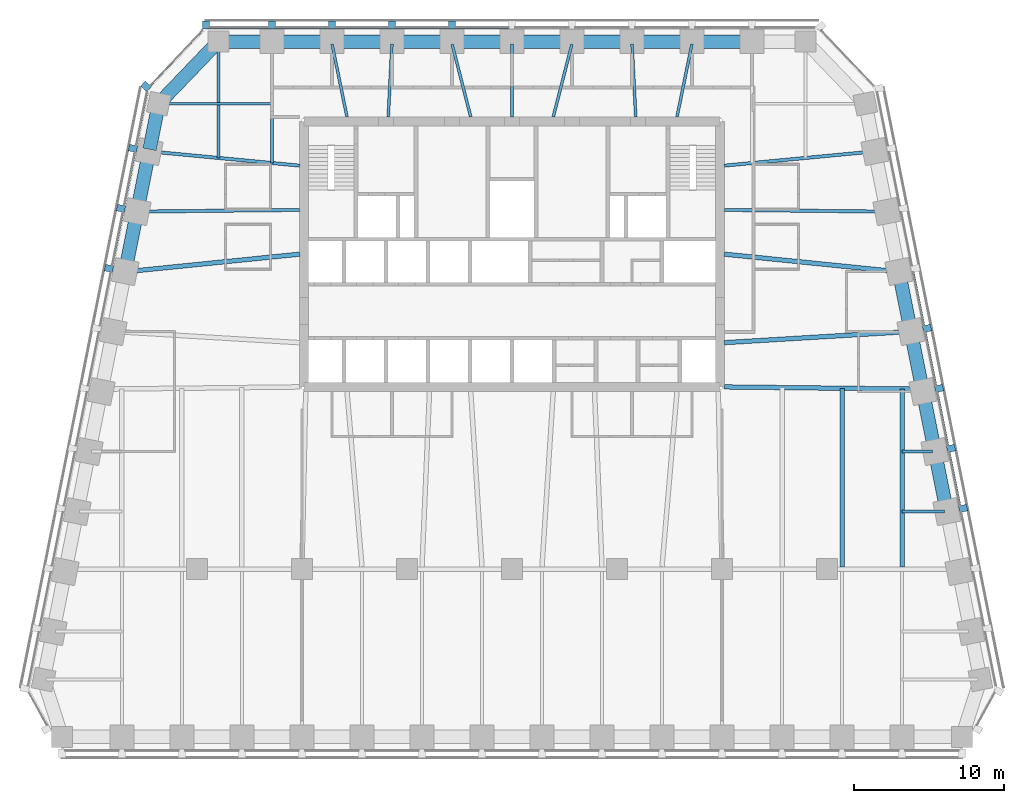
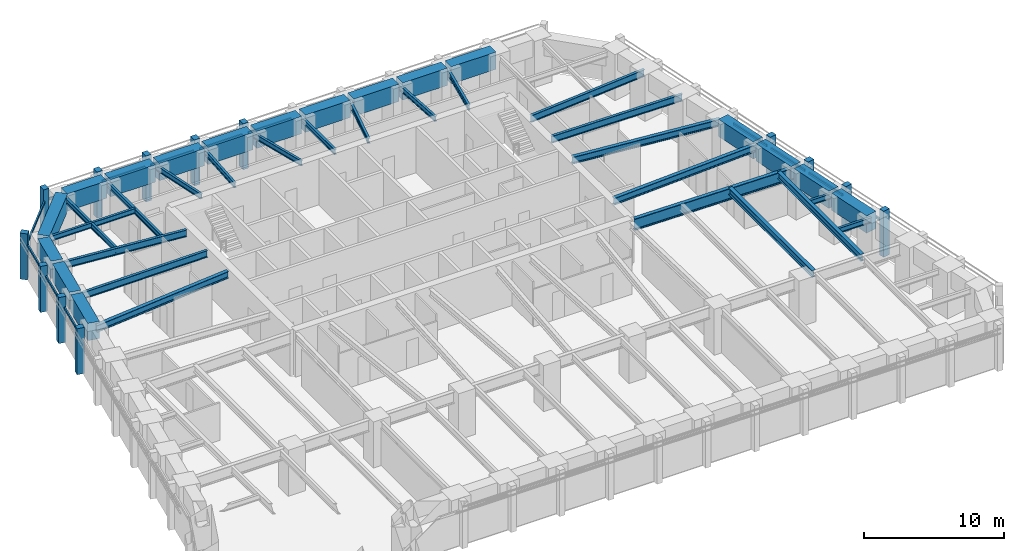
# One storey, part 3 of 10: 39 beams, 26 members, 4 elements without a shape of their own.
"""IFC4 building model written with IfcOpenShell, lengths in metres."""

from ifc_helpers import new_model, si_unit, direction, frame, origin, origin_2d, place, context, subcontext, project, spatial, rectangle, i_section, extrude, material, material_profile, profile_set, type_object, element, aggregate, save


model = new_model("IFC4")

# Units and contexts
model_context = context("Model", 3, precision=1e-05, world=origin(), true_north=direction((0.0, 1.0)))
body_context = subcontext(model_context, "Body", "Model", "MODEL_VIEW")
ifc_project = project(units=[si_unit("LENGTHUNIT", "METRE"), si_unit("AREAUNIT", "SQUARE_METRE"), si_unit("VOLUMEUNIT", "CUBIC_METRE"), si_unit("PLANEANGLEUNIT", "RADIAN"), si_unit("MASSUNIT", "GRAM", prefix="KILO")], contexts=[model_context])

# Site, building, storey
site_placement = place(None, origin())
site = spatial("IfcSite", under=ifc_project, at=site_placement, CompositionType="ELEMENT")
building_placement = place(site_placement, origin())
building = spatial("IfcBuilding", under=site, at=building_placement, Name="Isbrekke Arena Tower", CompositionType="ELEMENT")
storey_placement = place(building_placement, frame((0.0, 0.0, 218.0)))
storey = spatial("IfcBuildingStorey", under=building, at=storey_placement, Name="L50", CompositionType="ELEMENT", Elevation=218.0)

# Beams
ifc_material_1 = material(Name="Steel S355", Category="steel")
ifc_material_profile_1 = material_profile(ifc_material_1, i_section(OverallWidth=0.219970703125, OverallDepth=0.60009765625, WebThickness=0.011962890625, FlangeThickness=0.01904296875, FilletRadius=0.02392578125, at=origin_2d()), Name="IPE 600")
ifc_profile_set_1 = profile_set([ifc_material_profile_1], Name="Steel S355")
beam_type_1 = type_object("IfcBeamType", Name="B1 IPE 600", PredefinedType="BEAM", material=ifc_profile_set_1)
beam_1_placement = place(storey_placement, frame((24.83984375, 17.838134765625, 3.550048828125), z_axis=(-0.999945299061, 0.010459392202, 0.0), x_axis=(-0.010459392202, -0.999945299061, 0.0)))
element("IfcBeam", 1, at=beam_1_placement, inside=storey, type_object=beam_type_1, Name="B1 beam E-E09 L50", PredefinedType="BEAM", context=body_context, shape_type="SweptSolid", body=[
    extrude(i_section(OverallWidth=0.219970703125, OverallDepth=0.60009765625, WebThickness=0.011962890625, FlangeThickness=0.01904296875, FilletRadius=0.02392578125, at=origin_2d()), origin(), (0.0, 0.0, 1.0), 10.6904296875),
])
for number, where, z_axis, x_axis, name in (
    (2, (24.03076171875, 21.837158203125, 3.550048828125), (-0.99553133081, -0.094431823952, 0.0), (0.094431823952, -0.99553133081, 0.0), "B1 beam E-E10 L50"),
    (3, (-24.03076171875, 21.837158203125, 3.550048828125), (0.99553133081, -0.094431823952, 0.0), (0.094431823952, 0.99553133081, 0.0), "B1 beam E-W02 L50"),
):
    element("IfcBeam", number, at=place(storey_placement, frame(where, z_axis=z_axis, x_axis=x_axis)), inside=storey, type_object=beam_type_1, Name=name, PredefinedType="BEAM", context=body_context, shape_type="SweptSolid", body=[
        extrude(i_section(OverallWidth=0.219970703125, OverallDepth=0.60009765625, WebThickness=0.011962890625, FlangeThickness=0.01904296875, FilletRadius=0.02392578125, at=origin_2d()), origin(), (0.0, 0.0, 1.0), 9.92529296875),
    ])
beam_2_placement = place(storey_placement, frame((-24.83984375, 17.838134765625, 3.550048828125), z_axis=(0.999945299061, 0.010459392202, 0.0), x_axis=(-0.010459392202, 0.999945299061, 0.0)))
element("IfcBeam", 4, at=beam_2_placement, inside=storey, type_object=beam_type_1, Name="B1 beam E-W03 L50", PredefinedType="BEAM", context=body_context, shape_type="SweptSolid", body=[
    extrude(i_section(OverallWidth=0.219970703125, OverallDepth=0.60009765625, WebThickness=0.011962890625, FlangeThickness=0.01904296875, FilletRadius=0.02392578125, at=origin_2d()), origin(), (0.0, 0.0, 1.0), 10.6904296875),
])
ifc_material_2 = material(Name="Steel S355", Category="steel")
ifc_material_profile_2 = material_profile(ifc_material_2, i_section(OverallWidth=0.18994140625, OverallDepth=0.449951171875, WebThickness=0.009521484375, FlangeThickness=0.0146484375, FilletRadius=0.02099609375, at=origin_2d()), Name="IPE 450")
ifc_profile_set_2 = profile_set([ifc_material_profile_2], Name="Steel S355")
beam_type_2 = type_object("IfcBeamType", Name="B2 IPE 450", PredefinedType="BEAM", material=ifc_profile_set_2)
beam_3_placement = place(storey_placement, frame((28.841064453125, -2.161865234375, 3.625), z_axis=(-1.0, 0.0, 0.0), x_axis=(0.0, -1.0, 0.0)))
element("IfcBeam", 5, at=beam_3_placement, inside=storey, type_object=beam_type_2, Name="B2 beam E-E04 L50", PredefinedType="BEAM", context=body_context, shape_type="SweptSolid", body=[
    extrude(i_section(OverallWidth=0.18994140625, OverallDepth=0.449951171875, WebThickness=0.009521484375, FlangeThickness=0.0146484375, FilletRadius=0.02099609375, at=origin_2d()), origin(), (0.0, 0.0, 1.0), 2.841064453125),
])
beam_4_placement = place(storey_placement, frame((28.041015625, 1.838134765625, 3.625), z_axis=(-1.0, 0.0, 0.0), x_axis=(0.0, -1.0, 0.0)))
element("IfcBeam", 6, at=beam_4_placement, inside=storey, type_object=beam_type_2, Name="B2 beam E-E05 L50", PredefinedType="BEAM", context=body_context, shape_type="SweptSolid", body=[
    extrude(i_section(OverallWidth=0.18994140625, OverallDepth=0.449951171875, WebThickness=0.009521484375, FlangeThickness=0.0146484375, FilletRadius=0.02099609375, at=origin_2d()), origin(), (0.0, 0.0, 1.0), 2.041015625),
])
beam_5_placement = place(storey_placement, frame((-23.40283203125, 25.029296875, 3.625), z_axis=(1.0, 0.0, 0.0), x_axis=(0.0, 1.0, 0.0)))
element("IfcBeam", 7, at=beam_5_placement, inside=storey, type_object=beam_type_2, Name="B2 beam E-W01 L50", PredefinedType="BEAM", context=body_context, shape_type="SweptSolid", body=[
    extrude(i_section(OverallWidth=0.18994140625, OverallDepth=0.449951171875, WebThickness=0.009521484375, FlangeThickness=0.0146484375, FilletRadius=0.02099609375, at=origin_2d()), origin(), (0.0, 0.0, 1.0), 7.40283203125),
])
ifc_material_3 = material(Name="Steel S355", Category="steel")
ifc_material_profile_3 = material_profile(ifc_material_3, i_section(OverallWidth=0.18994140625, OverallDepth=0.449951171875, WebThickness=0.009521484375, FlangeThickness=0.0146484375, FilletRadius=0.02099609375, at=origin_2d()), Name="IPE 450")
ifc_profile_set_3 = profile_set([ifc_material_profile_3], Name="Steel S355")
beam_type_3 = type_object("IfcBeamType", Name="B3 IPE 450", PredefinedType="BEAM", material=ifc_profile_set_3)
beam_6_placement = place(storey_placement, frame((-16.0, 29.02490234375, 3.625), z_axis=(0.0, -1.0, 0.0), x_axis=(1.0, 0.0, 0.0)))
element("IfcBeam", 8, at=beam_6_placement, inside=storey, type_object=beam_type_3, Name="B3 beam N-N10 L50", PredefinedType="BEAM", context=body_context, shape_type="SweptSolid", body=[
    extrude(i_section(OverallWidth=0.18994140625, OverallDepth=0.449951171875, WebThickness=0.009521484375, FlangeThickness=0.0146484375, FilletRadius=0.02099609375, at=origin_2d()), origin(), (0.0, 0.0, 1.0), 7.949462890625),
])
beam_7_placement = place(storey_placement, frame((-19.574951171875, 29.02490234375, 3.625), z_axis=(0.0, -1.0, 0.0), x_axis=(1.0, 0.0, 0.0)))
element("IfcBeam", 9, at=beam_7_placement, inside=storey, type_object=beam_type_3, Name="B3 beam N-N11 L50", PredefinedType="BEAM", context=body_context, shape_type="SweptSolid", body=[
    extrude(i_section(OverallWidth=0.18994140625, OverallDepth=0.449951171875, WebThickness=0.009521484375, FlangeThickness=0.0146484375, FilletRadius=0.02099609375, at=origin_2d()), origin(), (0.0, 0.0, 1.0), 7.6103515625),
])
beam_8_placement = place(storey_placement, frame((11.99609375, 29.00634765625, 3.625), z_axis=(-0.200924755878, -0.979606677435, 0.0), x_axis=(0.979606677435, -0.200924755878, 0.0)))
element("IfcBeam", 10, at=beam_8_placement, inside=storey, type_object=beam_type_3, Name="B3 beam N-N03 L50", PredefinedType="BEAM", context=body_context, shape_type="SweptSolid", body=[
    extrude(i_section(OverallWidth=0.18994140625, OverallDepth=0.449951171875, WebThickness=0.009521484375, FlangeThickness=0.0146484375, FilletRadius=0.02099609375, at=origin_2d()), origin(), (0.0, 0.0, 1.0), 4.95751953125),
])
beam_9_placement = place(storey_placement, frame((8.000244140625, 29.02001953125, 3.625), z_axis=(0.051216032312, -0.998687597817, 0.0), x_axis=(0.998687597817, 0.051216032312, 0.0)))
element("IfcBeam", 11, at=beam_9_placement, inside=storey, type_object=beam_type_3, Name="B3 beam N-N04 L50", PredefinedType="BEAM", context=body_context, shape_type="SweptSolid", body=[
    extrude(i_section(OverallWidth=0.18994140625, OverallDepth=0.449951171875, WebThickness=0.009521484375, FlangeThickness=0.0146484375, FilletRadius=0.02099609375, at=origin_2d()), origin(), (0.0, 0.0, 1.0), 4.87646484375),
])
beam_10_placement = place(storey_placement, frame((3.994140625, 29.002197265625, 3.625), z_axis=(-0.248368314686, -0.968665670012, 0.0), x_axis=(0.968665670012, -0.248368314686, 0.0)))
element("IfcBeam", 12, at=beam_10_placement, inside=storey, type_object=beam_type_3, Name="B3 beam N-N05 L50", PredefinedType="BEAM", context=body_context, shape_type="SweptSolid", body=[
    extrude(i_section(OverallWidth=0.18994140625, OverallDepth=0.449951171875, WebThickness=0.009521484375, FlangeThickness=0.0146484375, FilletRadius=0.02099609375, at=origin_2d()), origin(), (0.0, 0.0, 1.0), 5.00927734375),
])
beam_11_placement = place(storey_placement, frame((0.0, 29.02490234375, 3.625), z_axis=(0.0, -1.0, 0.0), x_axis=(1.0, 0.0, 0.0)))
element("IfcBeam", 13, at=beam_11_placement, inside=storey, type_object=beam_type_3, Name="B3 beam N-N06 L50", PredefinedType="BEAM", context=body_context, shape_type="SweptSolid", body=[
    extrude(i_section(OverallWidth=0.18994140625, OverallDepth=0.449951171875, WebThickness=0.009521484375, FlangeThickness=0.0146484375, FilletRadius=0.02099609375, at=origin_2d()), origin(), (0.0, 0.0, 1.0), 4.875),
])
beam_12_placement = place(storey_placement, frame((-3.994140625, 29.002197265625, 3.625), z_axis=(0.248368314686, -0.968665670012, 0.0), x_axis=(0.968665670012, 0.248368314686, 0.0)))
element("IfcBeam", 14, at=beam_12_placement, inside=storey, type_object=beam_type_3, Name="B3 beam N-N07 L50", PredefinedType="BEAM", context=body_context, shape_type="SweptSolid", body=[
    extrude(i_section(OverallWidth=0.18994140625, OverallDepth=0.449951171875, WebThickness=0.009521484375, FlangeThickness=0.0146484375, FilletRadius=0.02099609375, at=origin_2d()), origin(), (0.0, 0.0, 1.0), 5.00927734375),
])
beam_13_placement = place(storey_placement, frame((-8.000244140625, 29.02001953125, 3.625), z_axis=(-0.051216032312, -0.998687597817, 0.0), x_axis=(0.998687597817, -0.051216032312, 0.0)))
element("IfcBeam", 15, at=beam_13_placement, inside=storey, type_object=beam_type_3, Name="B3 beam N-N08 L50", PredefinedType="BEAM", context=body_context, shape_type="SweptSolid", body=[
    extrude(i_section(OverallWidth=0.18994140625, OverallDepth=0.449951171875, WebThickness=0.009521484375, FlangeThickness=0.0146484375, FilletRadius=0.02099609375, at=origin_2d()), origin(), (0.0, 0.0, 1.0), 4.87646484375),
])
beam_14_placement = place(storey_placement, frame((-11.99609375, 29.00634765625, 3.625), z_axis=(0.200924755878, -0.979606677435, 0.0), x_axis=(0.979606677435, 0.200924755878, 0.0)))
element("IfcBeam", 16, at=beam_14_placement, inside=storey, type_object=beam_type_3, Name="B3 beam N-N09 L50", PredefinedType="BEAM", context=body_context, shape_type="SweptSolid", body=[
    extrude(i_section(OverallWidth=0.18994140625, OverallDepth=0.449951171875, WebThickness=0.009521484375, FlangeThickness=0.0146484375, FilletRadius=0.02099609375, at=origin_2d()), origin(), (0.0, 0.0, 1.0), 4.95751953125),
])
ifc_material_4 = material(Name="Steel S355", Category="steel")
ifc_material_profile_4 = material_profile(ifc_material_4, i_section(OverallWidth=0.300048828125, OverallDepth=0.60009765625, WebThickness=0.015380859375, FlangeThickness=0.030029296875, FilletRadius=0.027099609375, at=origin_2d()), Name="HEB 600")
ifc_profile_set_4 = profile_set([ifc_material_profile_4], Name="Steel S355")
beam_type_4 = type_object("IfcBeamType", Name="B7 HEB 600", PredefinedType="BEAM", material=ifc_profile_set_4)
beam_15_placement = place(storey_placement, frame((22.0, -5.84912109375, 3.550048828125), z_axis=(0.0, 1.0, 0.0), x_axis=(-1.0, 0.0, 0.0)))
element("IfcBeam", 17, at=beam_15_placement, inside=storey, type_object=beam_type_4, Name="B7 beam C-M13 L50", PredefinedType="BEAM", context=body_context, shape_type="SweptSolid", body=[
    extrude(i_section(OverallWidth=0.300048828125, OverallDepth=0.60009765625, WebThickness=0.015380859375, FlangeThickness=0.030029296875, FilletRadius=0.027099609375, at=origin_2d()), origin(), (0.0, 0.0, 1.0), 11.91015625),
])
beam_16_placement = place(storey_placement, frame((26.0, -5.84912109375, 3.550048828125), z_axis=(0.0, 1.0, 0.0), x_axis=(-1.0, 0.0, 0.0)))
element("IfcBeam", 18, at=beam_16_placement, inside=storey, type_object=beam_type_4, Name="B7 beam C-M14 L50", PredefinedType="BEAM", context=body_context, shape_type="SweptSolid", body=[
    extrude(i_section(OverallWidth=0.300048828125, OverallDepth=0.60009765625, WebThickness=0.015380859375, FlangeThickness=0.030029296875, FilletRadius=0.027099609375, at=origin_2d()), origin(), (0.0, 0.0, 1.0), 11.864990234375),
])
beam_17_placement = place(storey_placement, frame((26.43212890625, 9.837646484375, 3.550048828125), z_axis=(-0.998201854902, -0.059942112659, 0.0), x_axis=(0.059942112659, -0.998201854902, 0.0)))
element("IfcBeam", 19, at=beam_17_placement, inside=storey, type_object=beam_type_4, Name="B7 beam E-E07 L50", PredefinedType="BEAM", context=body_context, shape_type="SweptSolid", body=[
    extrude(i_section(OverallWidth=0.300048828125, OverallDepth=0.60009765625, WebThickness=0.015380859375, FlangeThickness=0.030029296875, FilletRadius=0.027099609375, at=origin_2d()), origin(), (0.0, 0.0, 1.0), 12.304443359375),
])
for number, where, z_axis, x_axis, name in (
    (20, (25.6259765625, 13.83984375, 3.550048828125), (-0.994928891111, 0.100580821396, 0.0), (-0.100580821396, -0.994928891111, 0.0), "B7 beam E-E08 L50"),
    (21, (-25.6259765625, 13.83984375, 3.550048828125), (0.994928891111, 0.100580821396, 0.0), (-0.100580821396, 0.994928891111, 0.0), "B7 beam E-W04 L50"),
):
    element("IfcBeam", number, at=place(storey_placement, frame(where, z_axis=z_axis, x_axis=x_axis)), inside=storey, type_object=beam_type_4, Name=name, PredefinedType="BEAM", context=body_context, shape_type="SweptSolid", body=[
        extrude(i_section(OverallWidth=0.300048828125, OverallDepth=0.60009765625, WebThickness=0.015380859375, FlangeThickness=0.030029296875, FilletRadius=0.027099609375, at=origin_2d()), origin(), (0.0, 0.0, 1.0), 11.53466796875),
    ])

# Curtain wall, members
ifc_material_5 = material(Name="Glazed aluminium curtain wall", Category="aluminium")
curtain_wall_type = type_object("IfcCurtainWallType", Name="CWH TOWER CURTAIN WALL HIGH ZONE", PredefinedType="USERDEFINED", material=ifc_material_5)
curtain_wall_1_placement = place(storey_placement, origin())
curtain_wall_1 = element("IfcCurtainWall", 22, at=curtain_wall_1_placement, inside=storey, type_object=curtain_wall_type, Name="CWH curtain wall L50-E", ObjectType="TOWER CURTAIN WALL HIGH ZONE", PredefinedType="USERDEFINED")
ifc_material_6 = material(Name="Aluminium mullion, pale brick slip cladding", Category="masonry")
ifc_material_profile_5 = material_profile(ifc_material_6, rectangle(XDim=0.449951171875, YDim=0.550048828125, at=origin_2d()), Name="PIER 450X550")
ifc_profile_set_5 = profile_set([ifc_material_profile_5], Name="Aluminium mullion, pale brick slip cladding")
member_type_1 = type_object("IfcMemberType", Name="CWH-M PIER MULLION 450 x 550", PredefinedType="MULLION", material=ifc_profile_set_5)
member_1_placement = place(storey_placement, frame((30.069580078125, -1.946044921875, 0.0), z_axis=(0.0, 0.0, 1.0), x_axis=(-0.196116135138, 0.980580675691, 0.0)))
member_1 = element("IfcMember", 23, at=member_1_placement, type_object=member_type_1, Name="CWH-M mullion 3", PredefinedType="MULLION", context=body_context, shape_type="SweptSolid", body=[
    extrude(rectangle(XDim=0.449951171875, YDim=0.550048828125, at=origin_2d()), origin(), (0.0, 0.0, 1.0), 4.0),
])
member_2_placement = place(storey_placement, frame((29.269775390625, 2.053955078125, 0.0), z_axis=(0.0, 0.0, 1.0), x_axis=(-0.196116135138, 0.980580675691, 0.0)))
member_2 = element("IfcMember", 24, at=member_2_placement, type_object=member_type_1, Name="CWH-M mullion 4", PredefinedType="MULLION", context=body_context, shape_type="SweptSolid", body=[
    extrude(rectangle(XDim=0.449951171875, YDim=0.550048828125, at=origin_2d()), origin(), (0.0, 0.0, 1.0), 4.0),
])
member_3_placement = place(storey_placement, frame((28.4697265625, 6.053955078125, 0.0), z_axis=(0.0, 0.0, 1.0), x_axis=(-0.196116135138, 0.980580675691, 0.0)))
member_3 = element("IfcMember", 25, at=member_3_placement, type_object=member_type_1, Name="CWH-M mullion 5", PredefinedType="MULLION", context=body_context, shape_type="SweptSolid", body=[
    extrude(rectangle(XDim=0.449951171875, YDim=0.550048828125, at=origin_2d()), origin(), (0.0, 0.0, 1.0), 4.0),
])
member_4_placement = place(storey_placement, frame((27.669677734375, 10.053955078125, 0.0), z_axis=(0.0, 0.0, 1.0), x_axis=(-0.196116135138, 0.980580675691, 0.0)))
member_4 = element("IfcMember", 26, at=member_4_placement, type_object=member_type_1, Name="CWH-M mullion 6", PredefinedType="MULLION", context=body_context, shape_type="SweptSolid", body=[
    extrude(rectangle(XDim=0.449951171875, YDim=0.550048828125, at=origin_2d()), origin(), (0.0, 0.0, 1.0), 4.0),
])

curtain_wall_2_placement = place(storey_placement, origin())
curtain_wall_2 = element("IfcCurtainWall", 27, at=curtain_wall_2_placement, inside=storey, type_object=curtain_wall_type, Name="CWH curtain wall L50-N", ObjectType="TOWER CURTAIN WALL HIGH ZONE", PredefinedType="USERDEFINED")
member_5_placement = place(storey_placement, frame((-4.0, 30.27490234375, 0.0), z_axis=(0.0, 0.0, 1.0), x_axis=(-1.0, 0.0, 0.0)))
member_5 = element("IfcMember", 28, at=member_5_placement, type_object=member_type_1, Name="CWH-M mullion 6", PredefinedType="MULLION", context=body_context, shape_type="SweptSolid", body=[
    extrude(rectangle(XDim=0.449951171875, YDim=0.550048828125, at=origin_2d()), origin(), (0.0, 0.0, 1.0), 4.0),
])
member_6_placement = place(storey_placement, frame((-8.0, 30.27490234375, 0.0), z_axis=(0.0, 0.0, 1.0), x_axis=(-1.0, 0.0, 0.0)))
member_6 = element("IfcMember", 29, at=member_6_placement, type_object=member_type_1, Name="CWH-M mullion 7", PredefinedType="MULLION", context=body_context, shape_type="SweptSolid", body=[
    extrude(rectangle(XDim=0.449951171875, YDim=0.550048828125, at=origin_2d()), origin(), (0.0, 0.0, 1.0), 4.0),
])
member_7_placement = place(storey_placement, frame((-12.0, 30.27490234375, 0.0), z_axis=(0.0, 0.0, 1.0), x_axis=(-1.0, 0.0, 0.0)))
member_7 = element("IfcMember", 30, at=member_7_placement, type_object=member_type_1, Name="CWH-M mullion 8", PredefinedType="MULLION", context=body_context, shape_type="SweptSolid", body=[
    extrude(rectangle(XDim=0.449951171875, YDim=0.550048828125, at=origin_2d()), origin(), (0.0, 0.0, 1.0), 4.0),
])
member_8_placement = place(storey_placement, frame((-16.0, 30.27490234375, 0.0), z_axis=(0.0, 0.0, 1.0), x_axis=(-1.0, 0.0, 0.0)))
member_8 = element("IfcMember", 31, at=member_8_placement, type_object=member_type_1, Name="CWH-M mullion 9", PredefinedType="MULLION", context=body_context, shape_type="SweptSolid", body=[
    extrude(rectangle(XDim=0.449951171875, YDim=0.550048828125, at=origin_2d()), origin(), (0.0, 0.0, 1.0), 4.0),
])
member_9_placement = place(storey_placement, frame((-20.39990234375, 30.27490234375, 0.0), z_axis=(0.0, 0.0, 1.0), x_axis=(-1.0, 0.0, 0.0)))
member_9 = element("IfcMember", 32, at=member_9_placement, type_object=member_type_1, Name="CWH-M mullion 10", PredefinedType="MULLION", context=body_context, shape_type="SweptSolid", body=[
    extrude(rectangle(XDim=0.449951171875, YDim=0.550048828125, at=origin_2d()), origin(), (0.0, 0.0, 1.0), 4.0),
])

# Curtain wall, member
curtain_wall_3_placement = place(storey_placement, origin())
curtain_wall_3 = element("IfcCurtainWall", 33, at=curtain_wall_3_placement, inside=storey, type_object=curtain_wall_type, Name="CWH curtain wall L50-NW", ObjectType="TOWER CURTAIN WALL HIGH ZONE", PredefinedType="USERDEFINED")
member_10_placement = place(storey_placement, frame((-24.3994140625, 26.189453125, 0.0), z_axis=(0.0, 0.0, 1.0), x_axis=(-0.68874946192, -0.72499943359, 0.0)))
member_10 = element("IfcMember", 34, at=member_10_placement, type_object=member_type_1, Name="CWH-M mullion 1", PredefinedType="MULLION", context=body_context, shape_type="SweptSolid", body=[
    extrude(rectangle(XDim=0.449951171875, YDim=0.550048828125, at=origin_2d()), origin(), (0.0, 0.0, 1.0), 4.0),
])

# Curtain wall, members
curtain_wall_4_placement = place(storey_placement, origin())
curtain_wall_4 = element("IfcCurtainWall", 35, at=curtain_wall_4_placement, inside=storey, type_object=curtain_wall_type, Name="CWH curtain wall L50-W", ObjectType="TOWER CURTAIN WALL HIGH ZONE", PredefinedType="USERDEFINED")
member_11_placement = place(storey_placement, frame((-25.269775390625, 22.053955078125, 0.0), z_axis=(0.0, 0.0, 1.0), x_axis=(-0.196116135138, -0.980580675691, 0.0)))
member_11 = element("IfcMember", 36, at=member_11_placement, type_object=member_type_1, Name="CWH-M mullion 1", PredefinedType="MULLION", context=body_context, shape_type="SweptSolid", body=[
    extrude(rectangle(XDim=0.449951171875, YDim=0.550048828125, at=origin_2d()), origin(), (0.0, 0.0, 1.0), 4.0),
])
member_12_placement = place(storey_placement, frame((-26.069580078125, 18.053955078125, 0.0), z_axis=(0.0, 0.0, 1.0), x_axis=(-0.196116135138, -0.980580675691, 0.0)))
member_12 = element("IfcMember", 37, at=member_12_placement, type_object=member_type_1, Name="CWH-M mullion 2", PredefinedType="MULLION", context=body_context, shape_type="SweptSolid", body=[
    extrude(rectangle(XDim=0.449951171875, YDim=0.550048828125, at=origin_2d()), origin(), (0.0, 0.0, 1.0), 4.0),
])
member_13_placement = place(storey_placement, frame((-26.86962890625, 14.053955078125, 0.0), z_axis=(0.0, 0.0, 1.0), x_axis=(-0.196116135138, -0.980580675691, 0.0)))
member_13 = element("IfcMember", 38, at=member_13_placement, type_object=member_type_1, Name="CWH-M mullion 3", PredefinedType="MULLION", context=body_context, shape_type="SweptSolid", body=[
    extrude(rectangle(XDim=0.449951171875, YDim=0.550048828125, at=origin_2d()), origin(), (0.0, 0.0, 1.0), 4.0),
])

# Member
ifc_material_7 = material(Name="Aluminium transom", Category="aluminium")
ifc_material_profile_6 = material_profile(ifc_material_7, rectangle(XDim=0.1201171875, YDim=0.199951171875, at=origin_2d()), Name="TRANSOM 120X200")
ifc_profile_set_6 = profile_set([ifc_material_profile_6], Name="Aluminium transom")
member_type_2 = type_object("IfcMemberType", Name="CWH-T TRANSOM 120 x 200", PredefinedType="USERDEFINED", material=ifc_profile_set_6)
member_14_placement = place(storey_placement, frame((29.85400390625, -1.759765625, 3.0), z_axis=(-0.196154943734, 0.980572913173, 0.0), x_axis=(-0.980572913173, -0.196154943734, 0.0)))
member_14 = element("IfcMember", 39, at=member_14_placement, type_object=member_type_2, Name="CWH-T transom 4", ObjectType="TRANSOM", PredefinedType="USERDEFINED", context=body_context, shape_type="SweptSolid", body=[
    extrude(rectangle(XDim=0.1201171875, YDim=0.199951171875, at=origin_2d()), origin(), (0.0, 0.0, 1.0), 3.62939453125),
])

member_15_placement = place(storey_placement, frame((29.053955078125, 2.240234375, 3.0), z_axis=(-0.196090262229, 0.980585849918, 0.0), x_axis=(-0.980585849918, -0.196090262229, 0.0)))
member_15 = element("IfcMember", 40, at=member_15_placement, type_object=member_type_2, Name="CWH-T transom 5", ObjectType="TRANSOM", PredefinedType="USERDEFINED", context=body_context, shape_type="SweptSolid", body=[
    extrude(rectangle(XDim=0.1201171875, YDim=0.199951171875, at=origin_2d()), origin(), (0.0, 0.0, 1.0), 3.62939453125),
])

member_16_placement = place(storey_placement, frame((28.25390625, 6.240234375, 3.0), z_axis=(-0.196090262229, 0.980585849918, 0.0), x_axis=(-0.980585849918, -0.196090262229, 0.0)))
member_16 = element("IfcMember", 41, at=member_16_placement, type_object=member_type_2, Name="CWH-T transom 6", ObjectType="TRANSOM", PredefinedType="USERDEFINED", context=body_context, shape_type="SweptSolid", body=[
    extrude(rectangle(XDim=0.1201171875, YDim=0.199951171875, at=origin_2d()), origin(), (0.0, 0.0, 1.0), 3.62939453125),
])

member_17_placement = place(storey_placement, frame((27.453857421875, 10.240234375, 3.0), z_axis=(-0.196090262229, 0.980585849918, 0.0), x_axis=(-0.980585849918, -0.196090262229, 0.0)))
member_17 = element("IfcMember", 42, at=member_17_placement, type_object=member_type_2, Name="CWH-T transom 7", ObjectType="TRANSOM", PredefinedType="USERDEFINED", context=body_context, shape_type="SweptSolid", body=[
    extrude(rectangle(XDim=0.1201171875, YDim=0.199951171875, at=origin_2d()), origin(), (0.0, 0.0, 1.0), 3.62939453125),
])

aggregate(curtain_wall_1, [member_1, member_2, member_3, member_4, member_14, member_15, member_16, member_17])

member_18_placement = place(storey_placement, frame((-0.22509765625, 30.10009765625, 3.0), z_axis=(-1.0, 0.0, 0.0), x_axis=(0.0, -1.0, 0.0)))
member_18 = element("IfcMember", 43, at=member_18_placement, type_object=member_type_2, Name="CWH-T transom 6", ObjectType="TRANSOM", PredefinedType="USERDEFINED", context=body_context, shape_type="SweptSolid", body=[
    extrude(rectangle(XDim=0.1201171875, YDim=0.199951171875, at=origin_2d()), origin(), (0.0, 0.0, 1.0), 3.5498046875),
])

member_19_placement = place(storey_placement, frame((-4.22509765625, 30.10009765625, 3.0), z_axis=(-1.0, 0.0, 0.0), x_axis=(0.0, -1.0, 0.0)))
member_19 = element("IfcMember", 44, at=member_19_placement, type_object=member_type_2, Name="CWH-T transom 7", ObjectType="TRANSOM", PredefinedType="USERDEFINED", context=body_context, shape_type="SweptSolid", body=[
    extrude(rectangle(XDim=0.1201171875, YDim=0.199951171875, at=origin_2d()), origin(), (0.0, 0.0, 1.0), 3.5498046875),
])

member_20_placement = place(storey_placement, frame((-8.22509765625, 30.10009765625, 3.0), z_axis=(-1.0, 0.0, 0.0), x_axis=(0.0, -1.0, 0.0)))
member_20 = element("IfcMember", 45, at=member_20_placement, type_object=member_type_2, Name="CWH-T transom 8", ObjectType="TRANSOM", PredefinedType="USERDEFINED", context=body_context, shape_type="SweptSolid", body=[
    extrude(rectangle(XDim=0.1201171875, YDim=0.199951171875, at=origin_2d()), origin(), (0.0, 0.0, 1.0), 3.5498046875),
])

member_21_placement = place(storey_placement, frame((-12.22509765625, 30.10009765625, 3.0), z_axis=(-1.0, 0.0, 0.0), x_axis=(0.0, -1.0, 0.0)))
member_21 = element("IfcMember", 46, at=member_21_placement, type_object=member_type_2, Name="CWH-T transom 9", ObjectType="TRANSOM", PredefinedType="USERDEFINED", context=body_context, shape_type="SweptSolid", body=[
    extrude(rectangle(XDim=0.1201171875, YDim=0.199951171875, at=origin_2d()), origin(), (0.0, 0.0, 1.0), 3.5498046875),
])

member_22_placement = place(storey_placement, frame((-16.22509765625, 30.10009765625, 3.0), z_axis=(-1.0, 0.0, 0.0), x_axis=(0.0, -1.0, 0.0)))
member_22 = element("IfcMember", 47, at=member_22_placement, type_object=member_type_2, Name="CWH-T transom 10", ObjectType="TRANSOM", PredefinedType="USERDEFINED", context=body_context, shape_type="SweptSolid", body=[
    extrude(rectangle(XDim=0.1201171875, YDim=0.199951171875, at=origin_2d()), origin(), (0.0, 0.0, 1.0), 3.949951171875),
])

aggregate(curtain_wall_2, [member_5, member_6, member_7, member_8, member_9, member_18, member_19, member_20, member_21, member_22])

member_23_placement = place(storey_placement, frame((-20.62744140625, 29.90576171875, 3.0), z_axis=(-0.688734266994, -0.725013868466, 0.0), x_axis=(0.725013868466, -0.688734266994, 0.0)))
member_23 = element("IfcMember", 48, at=member_23_placement, type_object=member_type_2, Name="CWH-T transom 1", ObjectType="TRANSOM", PredefinedType="USERDEFINED", context=body_context, shape_type="SweptSolid", body=[
    extrude(rectangle(XDim=0.1201171875, YDim=0.199951171875, at=origin_2d()), origin(), (0.0, 0.0, 1.0), 5.067138671875),
])

aggregate(curtain_wall_3, [member_10, member_23])

member_24_placement = place(storey_placement, frame((-24.34228515625, 25.799072265625, 3.0), z_axis=(-0.196090262229, -0.980585849918, 0.0), x_axis=(0.980585849918, -0.196090262229, 0.0)))
member_24 = element("IfcMember", 49, at=member_24_placement, type_object=member_type_2, Name="CWH-T transom 1", ObjectType="TRANSOM", PredefinedType="USERDEFINED", context=body_context, shape_type="SweptSolid", body=[
    extrude(rectangle(XDim=0.1201171875, YDim=0.199951171875, at=origin_2d()), origin(), (0.0, 0.0, 1.0), 3.62939453125),
])

member_25_placement = place(storey_placement, frame((-25.14208984375, 21.799072265625, 3.0), z_axis=(-0.196154943734, -0.980572913173, 0.0), x_axis=(0.980572913173, -0.196154943734, 0.0)))
member_25 = element("IfcMember", 50, at=member_25_placement, type_object=member_type_2, Name="CWH-T transom 2", ObjectType="TRANSOM", PredefinedType="USERDEFINED", context=body_context, shape_type="SweptSolid", body=[
    extrude(rectangle(XDim=0.1201171875, YDim=0.199951171875, at=origin_2d()), origin(), (0.0, 0.0, 1.0), 3.62939453125),
])

member_26_placement = place(storey_placement, frame((-25.942138671875, 17.799072265625, 3.0), z_axis=(-0.196154943734, -0.980572913173, 0.0), x_axis=(0.980572913173, -0.196154943734, 0.0)))
member_26 = element("IfcMember", 51, at=member_26_placement, type_object=member_type_2, Name="CWH-T transom 3", ObjectType="TRANSOM", PredefinedType="USERDEFINED", context=body_context, shape_type="SweptSolid", body=[
    extrude(rectangle(XDim=0.1201171875, YDim=0.199951171875, at=origin_2d()), origin(), (0.0, 0.0, 1.0), 3.62939453125),
])

aggregate(curtain_wall_4, [member_11, member_12, member_13, member_24, member_25, member_26])

# Beams
ifc_material_8 = material(Name="Steel S355", Category="steel")
ifc_material_profile_7 = material_profile(ifc_material_8, i_section(OverallWidth=0.302001953125, OverallDepth=1.008056640625, WebThickness=0.02099609375, FlangeThickness=0.0400390625, FilletRadius=0.030029296875, at=origin_2d()), Name="HEM 1000")
ifc_profile_set_7 = profile_set([ifc_material_profile_7], Name="Steel S355")
beam_type_5 = type_object("IfcBeamType", Name="G2 HEM 1000", PredefinedType="BEAM", material=ifc_profile_set_7)
beam_18_placement = place(storey_placement, frame((14.14990234375, 6.14990234375, 3.345947265625), z_axis=(0.999935908299, -0.011321629528, 0.0), x_axis=(0.011321629528, 0.999935908299, 0.0)))
element("IfcBeam", 52, at=beam_18_placement, inside=storey, type_object=beam_type_5, Name="G2 beam G2-E L50", PredefinedType="BEAM", context=body_context, shape_type="SweptSolid", body=[
    extrude(i_section(OverallWidth=0.302001953125, OverallDepth=1.008056640625, WebThickness=0.02099609375, FlangeThickness=0.0400390625, FilletRadius=0.030029296875, at=origin_2d()), origin(), (0.0, 0.0, 1.0), 13.240234375),
])
ifc_material_9 = material(Name="Concrete B65 (C65/80)", Category="concrete")
ifc_material_profile_8 = material_profile(ifc_material_9, rectangle(XDim=0.89990234375, YDim=1.5, at=origin_2d()), Name="RC 900x1500")
ifc_profile_set_8 = profile_set([ifc_material_profile_8], Name="Concrete B65 (C65/80)")
beam_type_6 = type_object("IfcBeamType", Name="SB3 RC 900 x 1500", PredefinedType="SPANDREL", material=ifc_profile_set_8)
for number, where, z_axis, x_axis, name in (
    (53, (28.961669921875, -2.0146484375, 3.25), (-0.196128558387, 0.980578190959, 0.0), (-0.980578190959, -0.196128558387, 0.0), "SB3 spandrel E04-E05 L50"),
    (54, (28.16162109375, 1.9853515625, 3.25), (-0.196128558387, 0.980578190959, 0.0), (-0.980578190959, -0.196128558387, 0.0), "SB3 spandrel E05-E06 L50"),
    (55, (27.361572265625, 5.9853515625, 3.25), (-0.196128558387, 0.980578190959, 0.0), (-0.980578190959, -0.196128558387, 0.0), "SB3 spandrel E06-E07 L50"),
):
    element("IfcBeam", number, at=place(storey_placement, frame(where, z_axis=z_axis, x_axis=x_axis)), inside=storey, type_object=beam_type_6, Name=name, PredefinedType="SPANDREL", context=body_context, shape_type="SweptSolid", body=[
        extrude(rectangle(XDim=0.89990234375, YDim=1.5, at=origin_2d()), origin(), (0.0, 0.0, 1.0), 3.779296875),
    ])
beam_19_placement = place(storey_placement, frame((26.5615234375, 9.9853515625, 3.25), z_axis=(-0.1960664412, 0.980590613169, 0.0), x_axis=(-0.980590613169, -0.1960664412, 0.0)))
element("IfcBeam", 56, at=beam_19_placement, inside=storey, type_object=beam_type_6, Name="SB3 spandrel E07-E08 L50", PredefinedType="SPANDREL", context=body_context, shape_type="SweptSolid", body=[
    extrude(rectangle(XDim=0.89990234375, YDim=1.5, at=origin_2d()), origin(), (0.0, 0.0, 1.0), 3.779052734375),
])
for number, where, z_axis, x_axis, name in (
    (57, (15.85009765625, 29.175048828125, 3.25), (-1.0, 0.0, 0.0), (0.0, -1.0, 0.0), "SB3 spandrel N02-N03 L50"),
    (58, (11.85009765625, 29.175048828125, 3.25), (-1.0, 0.0, 0.0), (0.0, -1.0, 0.0), "SB3 spandrel N03-N04 L50"),
    (59, (7.85009765625, 29.175048828125, 3.25), (-1.0, 0.0, 0.0), (0.0, -1.0, 0.0), "SB3 spandrel N04-N05 L50"),
    (60, (3.85009765625, 29.175048828125, 3.25), (-1.0, 0.0, 0.0), (0.0, -1.0, 0.0), "SB3 spandrel N05-N06 L50"),
    (61, (-0.14990234375, 29.175048828125, 3.25), (-1.0, 0.0, 0.0), (0.0, -1.0, 0.0), "SB3 spandrel N06-N07 L50"),
    (62, (-4.14990234375, 29.175048828125, 3.25), (-1.0, 0.0, 0.0), (0.0, -1.0, 0.0), "SB3 spandrel N07-N08 L50"),
    (63, (-8.14990234375, 29.175048828125, 3.25), (-1.0, 0.0, 0.0), (0.0, -1.0, 0.0), "SB3 spandrel N08-N09 L50"),
    (64, (-12.14990234375, 29.175048828125, 3.25), (-1.0, 0.0, 0.0), (0.0, -1.0, 0.0), "SB3 spandrel N09-N10 L50"),
):
    element("IfcBeam", number, at=place(storey_placement, frame(where, z_axis=z_axis, x_axis=x_axis)), inside=storey, type_object=beam_type_6, Name=name, PredefinedType="SPANDREL", context=body_context, shape_type="SweptSolid", body=[
        extrude(rectangle(XDim=0.89990234375, YDim=1.5, at=origin_2d()), origin(), (0.0, 0.0, 1.0), 3.7001953125),
    ])
beam_20_placement = place(storey_placement, frame((-16.14990234375, 29.175048828125, 3.25), z_axis=(-1.0, 0.0, 0.0), x_axis=(0.0, -1.0, 0.0)))
element("IfcBeam", 65, at=beam_20_placement, inside=storey, type_object=beam_type_6, Name="SB3 spandrel N10-N11 L50", PredefinedType="SPANDREL", context=body_context, shape_type="SweptSolid", body=[
    extrude(rectangle(XDim=0.89990234375, YDim=1.5, at=origin_2d()), origin(), (0.0, 0.0, 1.0), 3.275146484375),
])
beam_21_placement = place(storey_placement, frame((-19.678955078125, 29.066650390625, 3.25), z_axis=(-0.692339547635, -0.721571861134, 0.0), x_axis=(0.721571861134, -0.692339547635, 0.0)))
element("IfcBeam", 66, at=beam_21_placement, inside=storey, type_object=beam_type_6, Name="SB3 spandrel N11-W01 L50", PredefinedType="SPANDREL", context=body_context, shape_type="SweptSolid", body=[
    extrude(rectangle(XDim=0.89990234375, YDim=1.5, at=origin_2d()), origin(), (0.0, 0.0, 1.0), 5.4453125),
])
beam_22_placement = place(storey_placement, frame((-23.582275390625, 24.882080078125, 3.25), z_axis=(-0.196116135138, -0.980580675691, 0.0), x_axis=(0.980580675691, -0.196116135138, 0.0)))
element("IfcBeam", 67, at=beam_22_placement, inside=storey, type_object=beam_type_6, Name="SB3 spandrel W01-W02 L50", PredefinedType="SPANDREL", context=body_context, shape_type="SweptSolid", body=[
    extrude(rectangle(XDim=0.89990234375, YDim=1.5, at=origin_2d()), origin(), (0.0, 0.0, 1.0), 2.9541015625),
])
for number, where, z_axis, x_axis, name in (
    (68, (-24.220458984375, 21.691162109375, 3.25), (-0.196128558387, -0.980578190959, 0.0), (0.980578190959, -0.196128558387, 0.0), "SB3 spandrel W02-W03 L50"),
    (69, (-25.0205078125, 17.691162109375, 3.25), (-0.196128558387, -0.980578190959, 0.0), (0.980578190959, -0.196128558387, 0.0), "SB3 spandrel W03-W04 L50"),
):
    element("IfcBeam", number, at=place(storey_placement, frame(where, z_axis=z_axis, x_axis=x_axis)), inside=storey, type_object=beam_type_6, Name=name, PredefinedType="SPANDREL", context=body_context, shape_type="SweptSolid", body=[
        extrude(rectangle(XDim=0.89990234375, YDim=1.5, at=origin_2d()), origin(), (0.0, 0.0, 1.0), 3.779296875),
    ])

save(model, "model.ifc")
